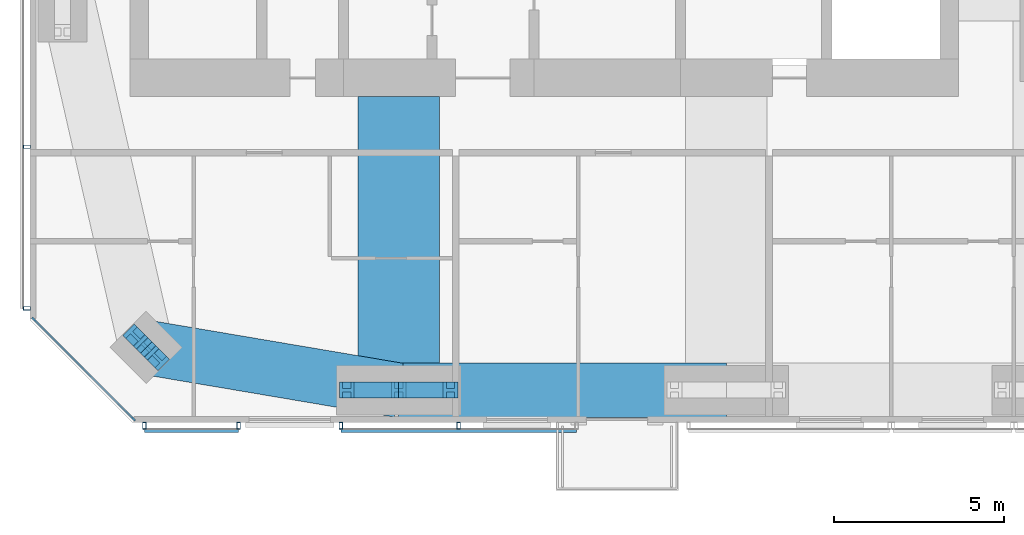
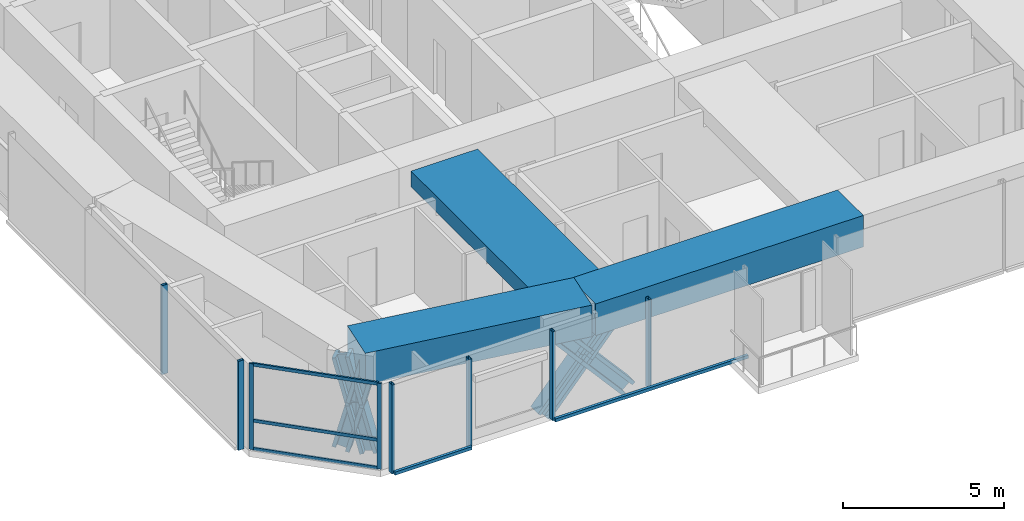
# One storey, part 2 of 18: 21 members, 3 beams, 4 elements without a shape of their own.
"""IFC4 building model written with IfcOpenShell, lengths in metres."""

from ifc_helpers import new_model, si_unit, direction, frame, origin, origin_2d, place, context, subcontext, project, spatial, rectangle, hollow_rectangle, i_section, extrude, material, material_profile, profile_set, type_object, element, aggregate, save


model = new_model("IFC4")

# Units and contexts
model_context = context("Model", 3, precision=1e-05, world=origin(), true_north=direction((0.0, 1.0)))
body_context = subcontext(model_context, "Body", "Model", "MODEL_VIEW")
ifc_project = project(units=[si_unit("LENGTHUNIT", "METRE"), si_unit("AREAUNIT", "SQUARE_METRE"), si_unit("VOLUMEUNIT", "CUBIC_METRE"), si_unit("PLANEANGLEUNIT", "RADIAN"), si_unit("MASSUNIT", "GRAM", prefix="KILO")], contexts=[model_context])

# Site, building, storey
site_placement = place(None, origin())
site = spatial("IfcSite", under=ifc_project, at=site_placement, CompositionType="ELEMENT")
building_placement = place(site_placement, origin())
building = spatial("IfcBuilding", under=site, at=building_placement, Name="Jalousie Tower", CompositionType="ELEMENT")
storey_placement = place(building_placement, frame((0.0, 0.0, 235.449951171875)))
storey = spatial("IfcBuildingStorey", under=building, at=storey_placement, Name="L64", CompositionType="ELEMENT", Elevation=235.449951171875)

# Curtain wall, members
ifc_material_1 = material(Name="Aluminium curtain wall", Category="aluminium")
curtain_wall_type_1 = type_object("IfcCurtainWallType", Name="CORNER WINDOW WALL", PredefinedType="USERDEFINED", material=ifc_material_1)
curtain_wall_1_placement = place(storey_placement, origin())
curtain_wall_1 = element("IfcCurtainWall", 1, at=curtain_wall_1_placement, inside=storey, type_object=curtain_wall_type_1, Name="Corner Window Wall L64 8", ObjectType="CORNER WINDOW WALL", PredefinedType="USERDEFINED")
ifc_material_2 = material(Name="Aluminium mullion", Category="aluminium")
ifc_material_profile_1 = material_profile(ifc_material_2, rectangle(XDim=0.06005859375, YDim=0.14990234375, at=origin_2d()), Name="MULLION 60x150")
ifc_profile_set_1 = profile_set([ifc_material_profile_1], Name="Aluminium mullion")
member_type_1 = type_object("IfcMemberType", Name="CORNER WINDOW WALL MULLION", PredefinedType="MULLION", material=ifc_profile_set_1)
member_1_placement = place(storey_placement, frame((16.90869140625, 3.030029296875, 0.0), z_axis=(0.0, 0.0, 1.0), x_axis=(0.707106781187, 0.707106781187, 0.0)))
member_1 = element("IfcMember", 2, at=member_1_placement, type_object=member_type_1, Name="CW-C mullion 1", PredefinedType="MULLION", context=body_context, shape_type="SweptSolid", body=[
    extrude(rectangle(XDim=0.06005859375, YDim=0.14990234375, at=origin_2d()), origin(), (0.0, 0.0, 1.0), 3.260009765625),
])
member_2_placement = place(storey_placement, frame((19.830078125, 0.108642578125, 0.0), z_axis=(0.0, 0.0, 1.0), x_axis=(0.707106781187, 0.707106781187, 0.0)))
member_2 = element("IfcMember", 3, at=member_2_placement, type_object=member_type_1, Name="CW-C mullion 2", PredefinedType="MULLION", context=body_context, shape_type="SweptSolid", body=[
    extrude(rectangle(XDim=0.06005859375, YDim=0.14990234375, at=origin_2d()), origin(), (0.0, 0.0, 1.0), 3.260009765625),
])
ifc_material_3 = material(Name="Aluminium transom", Category="aluminium")
ifc_material_profile_2 = material_profile(ifc_material_3, rectangle(XDim=0.06005859375, YDim=0.1201171875, at=origin_2d()), Name="TRANSOM 60x120")
ifc_profile_set_2 = profile_set([ifc_material_profile_2], Name="Aluminium transom")
member_type_2 = type_object("IfcMemberType", Name="CORNER WINDOW WALL TRANSOM", PredefinedType="USERDEFINED", material=ifc_profile_set_2)
member_3_placement = place(storey_placement, frame((16.929931640625, 3.0087890625, 0.030029296875), z_axis=(0.707106781187, -0.707106781187, 0.0), x_axis=(0.707106781187, 0.707106781187, 0.0)))
member_3 = element("IfcMember", 4, at=member_3_placement, type_object=member_type_2, Name="CW-C transom 1.1", ObjectType="TRANSOM", PredefinedType="USERDEFINED", context=body_context, shape_type="SweptSolid", body=[
    extrude(rectangle(XDim=0.06005859375, YDim=0.1201171875, at=origin_2d()), origin(), (0.0, 0.0, 1.0), 4.0712890625),
])
member_4_placement = place(storey_placement, frame((16.929931640625, 3.0087890625, 1.10009765625), z_axis=(0.707106781187, -0.707106781187, 0.0), x_axis=(0.707106781187, 0.707106781187, 0.0)))
member_4 = element("IfcMember", 5, at=member_4_placement, type_object=member_type_2, Name="CW-C transom 1.2", ObjectType="TRANSOM", PredefinedType="USERDEFINED", context=body_context, shape_type="SweptSolid", body=[
    extrude(rectangle(XDim=0.06005859375, YDim=0.1201171875, at=origin_2d()), origin(), (0.0, 0.0, 1.0), 4.0712890625),
])
member_5_placement = place(storey_placement, frame((16.929931640625, 3.0087890625, 3.22998046875), z_axis=(0.707106781187, -0.707106781187, 0.0), x_axis=(0.707106781187, 0.707106781187, 0.0)))
member_5 = element("IfcMember", 6, at=member_5_placement, type_object=member_type_2, Name="CW-C transom 1.3", ObjectType="TRANSOM", PredefinedType="USERDEFINED", context=body_context, shape_type="SweptSolid", body=[
    extrude(rectangle(XDim=0.06005859375, YDim=0.1201171875, at=origin_2d()), origin(), (0.0, 0.0, 1.0), 4.0712890625),
])
aggregate(curtain_wall_1, [member_1, member_2, member_3, member_4, member_5])

# Members
ifc_material_4 = material(Name="Steel ASTM A992 Grade 50", Category="steel")
ifc_material_profile_3 = material_profile(ifc_material_4, i_section(OverallWidth=0.472412109375, OverallDepth=0.5791015625, WebThickness=0.094970703125, FlangeThickness=0.1298828125, at=origin_2d()), Name="W14X808")
ifc_profile_set_3 = profile_set([ifc_material_profile_3], Name="Steel ASTM A992 Grade 50")
member_type_3 = type_object("IfcMemberType", Name="PERIMETER BRACE W14X808", PredefinedType="BRACE", material=ifc_profile_set_3)
for number, where, z_axis, x_axis, name in (
    (7, (19.888916015625, 2.525390625, -0.599853515625), (0.176051427143, -0.17618653952, 0.968485517854), (0.707377963048, 0.706835495285, 0.0), "Perimeter brace 01 L64 part 1"),
    (8, (20.20703125, 2.20703125, 1.150146484375), (0.17618653952, -0.176051427143, 0.968485517854), (0.706835495285, 0.707377963048, 0.0), "Perimeter brace 01 L64 part 2"),
    (9, (20.525390625, 1.888916015625, -0.599853515625), (-0.17618653952, 0.176051427143, 0.968485517854), (-0.706835495285, -0.707377963048, 0.0), "Perimeter brace 01 L64 part 3"),
    (10, (20.20703125, 2.20703125, 1.150146484375), (-0.176051427143, 0.17618653952, 0.968485517854), (-0.707377963048, -0.706835495285, 0.0), "Perimeter brace 01 L64 part 4"),
):
    element("IfcMember", number, at=place(storey_placement, frame(where, z_axis=z_axis, x_axis=x_axis)), inside=storey, type_object=member_type_3, Name=name, PredefinedType="BRACE", context=body_context, shape_type="SweptSolid", body=[
        extrude(i_section(OverallWidth=0.472412109375, OverallDepth=0.5791015625, WebThickness=0.094970703125, FlangeThickness=0.1298828125, at=origin_2d()), origin(), (0.0, 0.0, 1.0), 1.806884765625),
    ])
for number, where, z_axis, x_axis, name in (
    (11, (26.10009765625, 0.949951171875, -0.599853515625), (0.65695436777, 0.0, 0.753930340726), (0.0, 1.0, 0.0), "Perimeter brace 02 L64 part 1"),
    (12, (27.625, 0.949951171875, 1.150146484375), (0.65695436777, 0.0, 0.753930340726), (0.0, 1.0, 0.0), "Perimeter brace 02 L64 part 2"),
    (13, (29.14990234375, 0.949951171875, -0.599853515625), (-0.65695436777, 0.0, 0.753930340726), (0.0, -1.0, 0.0), "Perimeter brace 02 L64 part 3"),
    (14, (27.625, 0.949951171875, 1.150146484375), (-0.65695436777, 0.0, 0.753930340726), (0.0, -1.0, 0.0), "Perimeter brace 02 L64 part 4"),
):
    element("IfcMember", number, at=place(storey_placement, frame(where, z_axis=z_axis, x_axis=x_axis)), inside=storey, type_object=member_type_3, Name=name, PredefinedType="BRACE", context=body_context, shape_type="SweptSolid", body=[
        extrude(i_section(OverallWidth=0.472412109375, OverallDepth=0.5791015625, WebThickness=0.094970703125, FlangeThickness=0.1298828125, at=origin_2d()), origin(), (0.0, 0.0, 1.0), 2.3212890625),
    ])

# Beams
ifc_material_5 = material(Name="Concrete f'c 40 MPa", Category="concrete")
ifc_material_profile_4 = material_profile(ifc_material_5, rectangle(XDim=1.60009765625, YDim=1.199951171875, at=origin_2d()), Name="RC 1600x1200")
ifc_profile_set_4 = profile_set([ifc_material_profile_4], Name="Concrete f'c 40 MPa")
beam_type_1 = type_object("IfcBeamType", Name="RC BEAM 1600x1200", PredefinedType="BEAM", material=ifc_profile_set_4)
beam_1_placement = place(storey_placement, frame((20.20703125, 2.20703125, 2.900146484375), z_axis=(0.985942997446, -0.167082033105, 0.0), x_axis=(0.167082033105, 0.985942997446, 0.0)))
element("IfcBeam", 15, at=beam_1_placement, inside=storey, type_object=beam_type_1, Name="Edge band beam 01-02 under L65", PredefinedType="BEAM", context=body_context, shape_type="SweptSolid", body=[
    extrude(rectangle(XDim=1.60009765625, YDim=1.199951171875, at=origin_2d()), origin(), (0.0, 0.0, 1.0), 7.523681640625),
])
beam_2_placement = place(storey_placement, frame((27.625, 0.949951171875, 2.900146484375), z_axis=(1.0, 0.0, 0.0), x_axis=(0.0, 1.0, 0.0)))
element("IfcBeam", 16, at=beam_2_placement, inside=storey, type_object=beam_type_1, Name="Edge band beam 02-03 under L65", PredefinedType="BEAM", context=body_context, shape_type="SweptSolid", body=[
    extrude(rectangle(XDim=1.60009765625, YDim=1.199951171875, at=origin_2d()), origin(), (0.0, 0.0, 1.0), 9.625),
])
ifc_material_6 = material(Name="Concrete f'c 40 MPa", Category="concrete")
ifc_material_profile_5 = material_profile(ifc_material_6, rectangle(XDim=2.39990234375, YDim=0.60009765625, at=origin_2d()), Name="RC 2400x600")
ifc_profile_set_5 = profile_set([ifc_material_profile_5], Name="Concrete f'c 40 MPa")
beam_type_2 = type_object("IfcBeamType", Name="RC BEAM 2400x600", PredefinedType="BEAM", material=ifc_profile_set_5)
beam_3_placement = place(storey_placement, frame((27.625, 0.949951171875, 2.9599609375), z_axis=(0.0, 1.0, 0.0), x_axis=(-1.0, 0.0, 0.0)))
element("IfcBeam", 17, at=beam_3_placement, inside=storey, type_object=beam_type_2, Name="Floor band beam under L65", PredefinedType="BEAM", context=body_context, shape_type="SweptSolid", body=[
    extrude(rectangle(XDim=2.39990234375, YDim=0.60009765625, at=origin_2d()), origin(), (0.0, 0.0, 1.0), 8.625),
])

# Curtain wall, members
ifc_material_7 = material(Name="Perforated aluminium sheet", Category="aluminium")
curtain_wall_type_2 = type_object("IfcCurtainWallType", Name="SOLAR SCREEN SS-2", PredefinedType="USERDEFINED", material=ifc_material_7)
curtain_wall_2_placement = place(storey_placement, origin())
curtain_wall_2 = element("IfcCurtainWall", 18, at=curtain_wall_2_placement, inside=storey, type_object=curtain_wall_type_2, Name="Solar screen L64", ObjectType="SOLAR SCREEN SS-2", PredefinedType="USERDEFINED")
ifc_material_8 = material(Name="Steel ASTM A500 Grade C", Category="steel")
ifc_material_profile_6 = material_profile(ifc_material_8, hollow_rectangle(XDim=0.1015625, YDim=0.203125, WallThickness=0.0078125, at=origin_2d()), Name="HSS8X4X5/16")
ifc_profile_set_6 = profile_set([ifc_material_profile_6], Name="Steel ASTM A500 Grade C")
member_type_4 = type_object("IfcMemberType", Name="SOLAR SCREEN SS-2 MULLION", PredefinedType="MULLION", material=ifc_profile_set_6)
member_6_placement = place(storey_placement, frame((20.1513671875, -0.0966796875, -0.119873046875), z_axis=(0.0, 0.0, 1.0), x_axis=(1.0, 0.0, 0.0)))
member_6 = element("IfcMember", 19, at=member_6_placement, type_object=member_type_4, Name="SS2 post 1", PredefinedType="MULLION", context=body_context, shape_type="SweptSolid", body=[
    extrude(hollow_rectangle(XDim=0.1015625, YDim=0.203125, WallThickness=0.0078125, at=origin_2d()), origin(), (0.0, 0.0, 1.0), 3.3798828125),
])
member_7_placement = place(storey_placement, frame((22.923828125, -0.0966796875, -0.119873046875), z_axis=(0.0, 0.0, 1.0), x_axis=(1.0, 0.0, 0.0)))
member_7 = element("IfcMember", 20, at=member_7_placement, type_object=member_type_4, Name="SS2 post 2", PredefinedType="MULLION", context=body_context, shape_type="SweptSolid", body=[
    extrude(hollow_rectangle(XDim=0.1015625, YDim=0.203125, WallThickness=0.0078125, at=origin_2d()), origin(), (0.0, 0.0, 1.0), 3.3798828125),
])

curtain_wall_3_placement = place(storey_placement, origin())
curtain_wall_3 = element("IfcCurtainWall", 21, at=curtain_wall_3_placement, inside=storey, type_object=curtain_wall_type_2, Name="Solar screen L64", ObjectType="SOLAR SCREEN SS-2", PredefinedType="USERDEFINED")
member_8_placement = place(storey_placement, frame((25.923828125, -0.0966796875, -0.119873046875), z_axis=(0.0, 0.0, 1.0), x_axis=(1.0, 0.0, 0.0)))
member_8 = element("IfcMember", 22, at=member_8_placement, type_object=member_type_4, Name="SS2 post 1", PredefinedType="MULLION", context=body_context, shape_type="SweptSolid", body=[
    extrude(hollow_rectangle(XDim=0.1015625, YDim=0.203125, WallThickness=0.0078125, at=origin_2d()), origin(), (0.0, 0.0, 1.0), 3.3798828125),
])
member_9_placement = place(storey_placement, frame((29.386962890625, -0.0966796875, -0.119873046875), z_axis=(0.0, 0.0, 1.0), x_axis=(1.0, 0.0, 0.0)))
member_9 = element("IfcMember", 23, at=member_9_placement, type_object=member_type_4, Name="SS2 post 2", PredefinedType="MULLION", context=body_context, shape_type="SweptSolid", body=[
    extrude(hollow_rectangle(XDim=0.1015625, YDim=0.203125, WallThickness=0.0078125, at=origin_2d()), origin(), (0.0, 0.0, 1.0), 3.3798828125),
])

curtain_wall_4_placement = place(storey_placement, origin())
curtain_wall_4 = element("IfcCurtainWall", 24, at=curtain_wall_4_placement, inside=storey, type_object=curtain_wall_type_2, Name="Solar screen L64", ObjectType="SOLAR SCREEN SS-2", PredefinedType="USERDEFINED")
member_10_placement = place(storey_placement, frame((16.703369140625, 8.100830078125, -0.119873046875), z_axis=(0.0, 0.0, 1.0), x_axis=(0.0, -1.0, 0.0)))
member_10 = element("IfcMember", 25, at=member_10_placement, type_object=member_type_4, Name="SS2 post 3", PredefinedType="MULLION", context=body_context, shape_type="SweptSolid", body=[
    extrude(hollow_rectangle(XDim=0.1015625, YDim=0.203125, WallThickness=0.0078125, at=origin_2d()), origin(), (0.0, 0.0, 1.0), 3.3798828125),
])
member_11_placement = place(storey_placement, frame((16.703369140625, 3.351318359375, -0.119873046875), z_axis=(0.0, 0.0, 1.0), x_axis=(0.0, -1.0, 0.0)))
member_11 = element("IfcMember", 26, at=member_11_placement, type_object=member_type_4, Name="SS2 post 4", PredefinedType="MULLION", context=body_context, shape_type="SweptSolid", body=[
    extrude(hollow_rectangle(XDim=0.1015625, YDim=0.203125, WallThickness=0.0078125, at=origin_2d()), origin(), (0.0, 0.0, 1.0), 3.3798828125),
])
aggregate(curtain_wall_4, [member_10, member_11])

# Member
ifc_material_9 = material(Name="Extruded aluminium screen rail", Category="aluminium")
ifc_material_profile_7 = material_profile(ifc_material_9, rectangle(XDim=0.1015625, YDim=0.1201171875, at=origin_2d()), Name="RAIL 102x120")
ifc_profile_set_7 = profile_set([ifc_material_profile_7], Name="Extruded aluminium screen rail")
member_type_5 = type_object("IfcMemberType", Name="SOLAR SCREEN SS-2 TRANSOM", PredefinedType="USERDEFINED", material=ifc_profile_set_7)
member_12_placement = place(storey_placement, frame((20.1513671875, -0.2490234375, -0.06005859375), z_axis=(1.0, 0.0, 0.0), x_axis=(0.0, 1.0, 0.0)))
member_12 = element("IfcMember", 27, at=member_12_placement, type_object=member_type_5, Name="SS2 rail", ObjectType="TRANSOM", PredefinedType="USERDEFINED", context=body_context, shape_type="SweptSolid", body=[
    extrude(rectangle(XDim=0.1015625, YDim=0.1201171875, at=origin_2d()), origin(), (0.0, 0.0, 1.0), 2.7724609375),
])

aggregate(curtain_wall_2, [member_6, member_7, member_12])

member_13_placement = place(storey_placement, frame((25.923828125, -0.2490234375, -0.06005859375), z_axis=(1.0, 0.0, 0.0), x_axis=(0.0, 1.0, 0.0)))
member_13 = element("IfcMember", 28, at=member_13_placement, type_object=member_type_5, Name="SS2 rail", ObjectType="TRANSOM", PredefinedType="USERDEFINED", context=body_context, shape_type="SweptSolid", body=[
    extrude(rectangle(XDim=0.1015625, YDim=0.1201171875, at=origin_2d()), origin(), (0.0, 0.0, 1.0), 6.92626953125),
])

aggregate(curtain_wall_3, [member_8, member_9, member_13])

save(model, "model.ifc")
